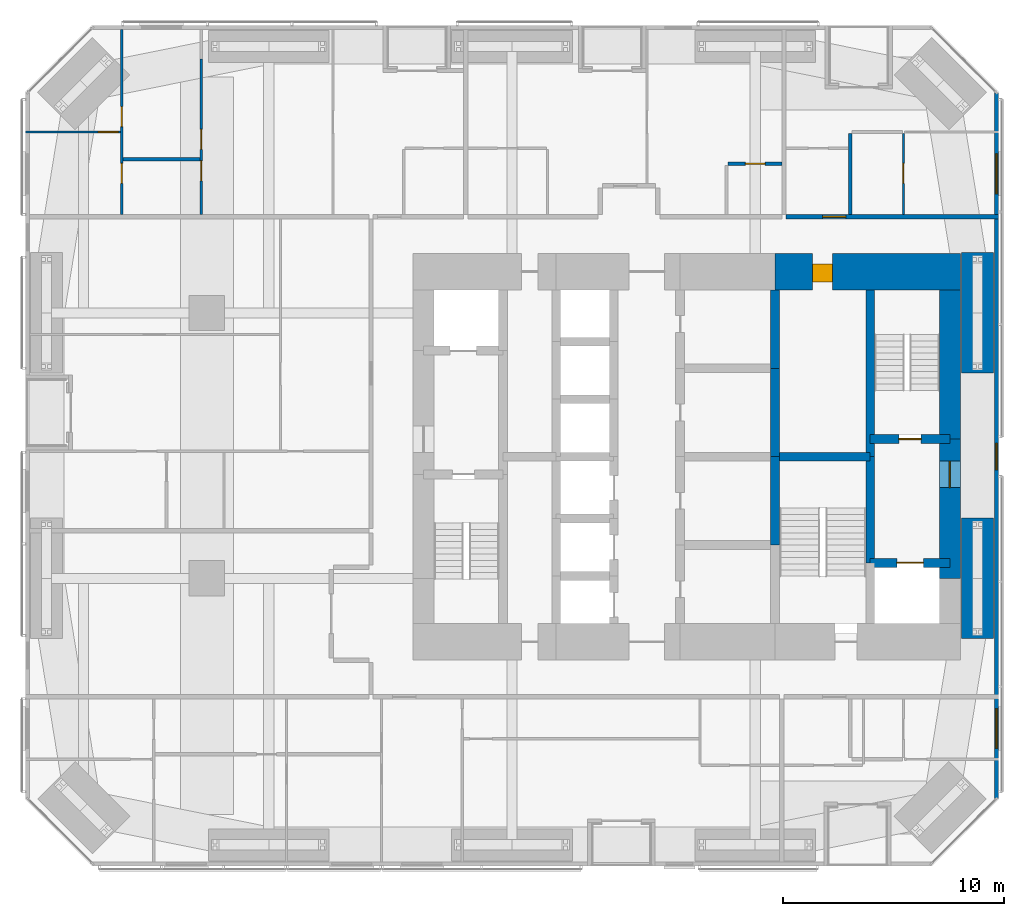
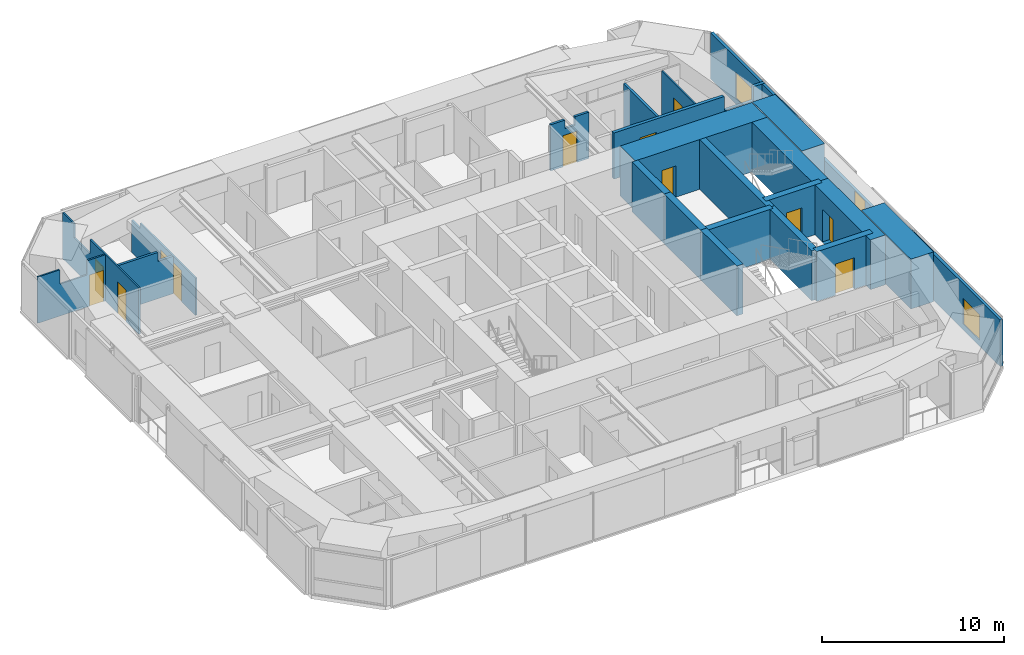
# One storey, part 21 of 24: 22 walls, 12 doors, 3 windows, 15 openings.
"""IFC4 building model written with IfcOpenShell, lengths in metres."""

from ifc_helpers import new_model, si_unit, direction, frame, frame_2d, origin, place, context, subcontext, project, spatial, polyline, rectangle, outline, extrude, material, layer, layer_set, constituent, constituent_set, type_object, element, fill, save


model = new_model("IFC4")

# Units and contexts
model_context = context("Model", 3, precision=1e-05, world=origin(), true_north=direction((0.0, 1.0)))
body_context = subcontext(model_context, "Body", "Model", "MODEL_VIEW")
ifc_project = project(units=[si_unit("LENGTHUNIT", "METRE"), si_unit("AREAUNIT", "SQUARE_METRE"), si_unit("VOLUMEUNIT", "CUBIC_METRE"), si_unit("PLANEANGLEUNIT", "RADIAN"), si_unit("MASSUNIT", "GRAM", prefix="KILO")], contexts=[model_context])

# Site, building, storey
site_placement = place(None, origin())
site = spatial("IfcSite", under=ifc_project, at=site_placement, CompositionType="ELEMENT")
building_placement = place(site_placement, origin())
building = spatial("IfcBuilding", under=site, at=building_placement, Name="Jalousie Tower", CompositionType="ELEMENT")
storey_placement = place(building_placement, frame((0.0, 0.0, 44.449951171875)))
storey = spatial("IfcBuildingStorey", under=building, at=storey_placement, Name="L11", CompositionType="ELEMENT", Elevation=44.449951171875)

# Wall
ifc_material_1 = material(Name="Concrete block ASTM C90", Category="concrete")
ifc_constituent_1 = constituent(ifc_material_1, Name="Body")
ifc_material_2 = material(Name="Render")
ifc_constituent_2 = constituent(ifc_material_2, Name="Finish")
ifc_constituent_set_1 = constituent_set(constituents=[ifc_constituent_1, ifc_constituent_2])
wall_type_1 = type_object("IfcWallType", Name="BATHROOM WALL 150", PredefinedType="PLUMBINGWALL", material=ifc_constituent_set_1)
wall_1_placement = place(storey_placement, frame((6.39990234375, 31.949951171875, 0.0), z_axis=(0.0, 0.0, 1.0), x_axis=(1.0, 0.0, 0.0)))
element("IfcWall", 1, at=wall_1_placement, inside=storey, type_object=wall_type_1, Name="Bathroom Wall 150 L11", PredefinedType="PLUMBINGWALL", context=body_context, shape_type="SweptSolid", body=[
    extrude(outline(polyline([(0.0, 0.0), (3.5, 0.0), (3.5, 3.110107421875), (3.5, 2.510009765625), (2.514892578125, 2.510009765625), (2.514892578125, 3.110107421875), (0.0, 3.110107421875), (0.0, 0.0)])), frame((0.0, 0.074951171875, 0.0), z_axis=(0.0, -1.0, 0.0), x_axis=(1.0, 0.0, 0.0)), (0.0, 0.0, 1.0), 0.14990234375),
])

# Wall, opening, door
wall_2_placement = place(storey_placement, frame((33.77490234375, 31.75, 0.0), z_axis=(0.0, 0.0, 1.0), x_axis=(1.0, 0.0, 0.0)))
wall_2 = element("IfcWall", 2, at=wall_2_placement, inside=storey, type_object=wall_type_1, Name="Bathroom Wall 150 L11", PredefinedType="PLUMBINGWALL", context=body_context, shape_type="SweptSolid", body=[
    extrude(outline(polyline([(0.0, 0.0), (2.425048828125, 0.0), (2.425048828125, 3.110107421875), (1.537353515625, 3.110107421875), (1.537353515625, 2.541015625), (0.91259765625, 2.541015625), (0.91259765625, 3.110107421875), (0.0, 3.110107421875), (0.0, 0.0)])), frame((0.0, 0.074951171875, 0.0), z_axis=(0.0, -1.0, 0.0), x_axis=(1.0, 0.0, 0.0)), (0.0, 0.0, 1.0), 0.14990234375),
])
opening_1_placement = place(wall_2_placement, frame((0.77490234375, 0.0, 0.0)))
opening_1 = element("IfcOpeningElement", 3, at=opening_1_placement, cuts=wall_2, Name="Opening D3", PredefinedType="OPENING", context=body_context, shape_type="SweptSolid", body=[
    extrude(rectangle(XDim=0.89990234375, YDim=2.10009765625, at=frame_2d((0.449951171875, 1.050048828125))), frame((0.0, 0.0849609375, 0.0), z_axis=(0.0, -1.0, 0.0), x_axis=(1.0, 0.0, 0.0)), (0.0, 0.0, 1.0), 0.169921875),
])
ifc_material_3 = material(Name="Timber door", Category="wood")
door_type_1 = type_object("IfcDoorType", Name="BATHROOM DOOR 900", OperationType="SINGLE_SWING_LEFT", PredefinedType="DOOR", material=ifc_material_3)
door_1_placement = place(opening_1_placement, frame((0.89990234375, 0.0, 0.0), z_axis=(0.0, 0.0, 1.0), x_axis=(-1.0, 0.0, 0.0)))
door_1 = element("IfcDoor", 4, at=door_1_placement, inside=storey, type_object=door_type_1, Name="Apartment 1104 bathroom door", OperationType="SINGLE_SWING_LEFT", OverallHeight=2.10009765625, OverallWidth=0.89990234375, PredefinedType="DOOR", context=body_context, shape_type="SweptSolid", body=[
    extrude(rectangle(XDim=0.89990234375, YDim=2.10009765625, at=frame_2d((0.449951171875, 1.050048828125))), frame((0.0, 0.02490234375, 0.0), z_axis=(0.0, -1.0, 0.0), x_axis=(1.0, 0.0, 0.0)), (0.0, 0.0, 1.0), 0.050048828125),
])
fill(opening_1, door_1)

# Wall
wall_3_placement = place(storey_placement, frame((39.300048828125, 33.107666015625, 0.0), z_axis=(0.0, 0.0, 1.0), x_axis=(0.0, -1.0, 0.0)))
element("IfcWall", 5, at=wall_3_placement, inside=storey, type_object=wall_type_1, Name="Bathroom Wall 150 L11", PredefinedType="PLUMBINGWALL", context=body_context, shape_type="SweptSolid", body=[
    extrude(rectangle(XDim=3.65771484375, YDim=0.14990234375, at=frame_2d((1.828857421875, 0.0))), origin(), (0.0, 0.0, 1.0), 3.110107421875),
])

# Wall, opening, door
ifc_material_4 = material(Name="Concrete f'c 120 MPa", Category="concrete")
ifc_layer_1 = layer(ifc_material_4, 1.64990234375)
ifc_layer_set_1 = layer_set([ifc_layer_1], Name="Concrete f'c 120 MPa")
wall_type_2 = type_object("IfcWallType", Name="CORE WALL 1650", PredefinedType="SHEAR", material=ifc_layer_set_1)
wall_4_placement = place(storey_placement, frame((44.27490234375, 26.875, 0.0), z_axis=(0.0, 0.0, 1.0), x_axis=(-1.0, 0.0, 0.0)))
wall_4 = element("IfcWall", 6, at=wall_4_placement, inside=storey, type_object=wall_type_2, Name="Core wall NA L11", PredefinedType="SHEAR", context=body_context, shape_type="SweptSolid", body=[
    extrude(rectangle(XDim=8.375, YDim=1.64990234375, at=frame_2d((4.1875, 0.0))), origin(), (0.0, 0.0, 1.0), 3.35009765625),
])
opening_2_placement = place(wall_4_placement, frame((5.77490234375, 0.0, 0.0)))
opening_2 = element("IfcOpeningElement", 7, at=opening_2_placement, cuts=wall_4, Name="Opening D18", PredefinedType="OPENING", context=body_context, shape_type="SweptSolid", body=[
    extrude(rectangle(XDim=0.89990234375, YDim=2.10009765625, at=frame_2d((0.449951171875, 1.050048828125))), frame((0.0, 0.8349609375, 0.0), z_axis=(0.0, -1.0, 0.0), x_axis=(1.0, 0.0, 0.0)), (0.0, 0.0, 1.0), 1.669921875),
])
ifc_material_5 = material(Name="Steel fire door", Category="steel")
door_type_2 = type_object("IfcDoorType", Name="CLEANER'S STORE DOOR 900", OperationType="SINGLE_SWING_LEFT", PredefinedType="DOOR", material=ifc_material_5)
door_2_placement = place(opening_2_placement, origin())
door_2 = element("IfcDoor", 8, at=door_2_placement, inside=storey, type_object=door_type_2, Name="Cleaner's store door", OperationType="SINGLE_SWING_RIGHT", OverallHeight=2.10009765625, OverallWidth=0.89990234375, PredefinedType="DOOR", context=body_context, shape_type="SweptSolid", body=[
    extrude(rectangle(XDim=0.89990234375, YDim=2.10009765625, at=frame_2d((0.449951171875, 1.050048828125))), frame((0.0, 0.47021484375, 0.0), z_axis=(0.0, -1.0, 0.0), x_axis=(1.0, 0.0, 0.0)), (0.0, 0.0, 1.0), 0.800048828125),
])
fill(opening_2, door_2)

# Walls
ifc_material_6 = material(Name="Concrete f'c 120 MPa", Category="concrete")
ifc_layer_2 = layer(ifc_material_6, 0.39990234375)
ifc_layer_set_2 = layer_set([ifc_layer_2], Name="Concrete f'c 120 MPa")
wall_type_3 = type_object("IfcWallType", Name="CORE WALL 400", PredefinedType="SHEAR", material=ifc_layer_set_2)
for number, where, z_axis, x_axis, name in (
    (9, (35.89990234375, 14.5, 0.0), (0.0, 0.0, 1.0), (0.0, 1.0, 0.0), "Core wall X35.9B L11"),
    (10, (35.89990234375, 18.5, 0.0), (0.0, 0.0, 1.0), (0.0, 1.0, 0.0), "Core wall X35.9C L11"),
):
    element("IfcWall", number, at=place(storey_placement, frame(where, z_axis=z_axis, x_axis=x_axis)), inside=storey, type_object=wall_type_3, Name=name, PredefinedType="SHEAR", context=body_context, shape_type="SweptSolid", body=[
        extrude(rectangle(XDim=4.0, YDim=0.39990234375, at=frame_2d((2.0, 0.0))), origin(), (0.0, 0.0, 1.0), 3.35009765625),
    ])
wall_5_placement = place(storey_placement, frame((35.89990234375, 22.5, 0.0), z_axis=(0.0, 0.0, 1.0), x_axis=(0.0, 1.0, 0.0)))
element("IfcWall", 11, at=wall_5_placement, inside=storey, type_object=wall_type_3, Name="Core wall X35.9D L11", PredefinedType="SHEAR", context=body_context, shape_type="SweptSolid", body=[
    extrude(rectangle(XDim=3.550048828125, YDim=0.39990234375, at=frame_2d((1.77490234375, 0.0))), origin(), (0.0, 0.0, 1.0), 3.35009765625),
])
wall_6_placement = place(storey_placement, frame((40.199951171875, 13.699951171875, 0.0), z_axis=(0.0, 0.0, 1.0), x_axis=(0.0, 1.0, 0.0)))
element("IfcWall", 12, at=wall_6_placement, inside=storey, type_object=wall_type_3, Name="Core wall X40.2B L11", PredefinedType="SHEAR", context=body_context, shape_type="SweptSolid", body=[
    extrude(rectangle(XDim=4.800048828125, YDim=0.39990234375, at=frame_2d((2.39990234375, 0.0))), origin(), (0.0, 0.0, 1.0), 3.35009765625),
])
wall_7_placement = place(storey_placement, frame((40.199951171875, 18.5, 0.0), z_axis=(0.0, 0.0, 1.0), x_axis=(0.0, 1.0, 0.0)))
element("IfcWall", 13, at=wall_7_placement, inside=storey, type_object=wall_type_3, Name="Core wall X40.2C L11", PredefinedType="SHEAR", context=body_context, shape_type="SweptSolid", body=[
    extrude(rectangle(XDim=7.550048828125, YDim=0.39990234375, at=frame_2d((3.77490234375, 0.0))), origin(), (0.0, 0.0, 1.0), 3.35009765625),
])
wall_8_placement = place(storey_placement, frame((35.89990234375, 18.5, 0.0), z_axis=(0.0, 0.0, 1.0), x_axis=(1.0, 0.0, 0.0)))
element("IfcWall", 14, at=wall_8_placement, inside=storey, type_object=wall_type_3, Name="Core wall Y35.9-18.5 L11", PredefinedType="SHEAR", context=body_context, shape_type="SweptSolid", body=[
    extrude(rectangle(XDim=4.300048828125, YDim=0.39990234375, at=frame_2d((2.14990234375, 0.0))), origin(), (0.0, 0.0, 1.0), 3.35009765625),
])

# Wall, opening, door
wall_9_placement = place(storey_placement, frame((40.199951171875, 13.699951171875, 0.0), z_axis=(0.0, 0.0, 1.0), x_axis=(1.0, 0.0, 0.0)))
wall_9 = element("IfcWall", 15, at=wall_9_placement, inside=storey, type_object=wall_type_3, Name="Core wall Y40.2-13.7 L11", PredefinedType="SHEAR", context=body_context, shape_type="SweptSolid", body=[
    extrude(rectangle(XDim=3.60009765625, YDim=0.39990234375, at=frame_2d((1.800048828125, 0.0))), origin(), (0.0, 0.0, 1.0), 3.35009765625),
])
opening_3_placement = place(wall_9_placement, frame((1.199951171875, 0.0, 0.0)))
opening_3 = element("IfcOpeningElement", 16, at=opening_3_placement, cuts=wall_9, Name="Opening LD2", PredefinedType="OPENING", context=body_context, shape_type="SweptSolid", body=[
    extrude(rectangle(XDim=1.199951171875, YDim=2.10009765625, at=frame_2d((0.60009765625, 1.050048828125))), frame((0.0, 0.2099609375, 0.0), z_axis=(0.0, -1.0, 0.0), x_axis=(1.0, 0.0, 0.0)), (0.0, 0.0, 1.0), 0.419921875),
])
ifc_material_7 = material(Name="Steel lift landing door", Category="steel")
door_type_3 = type_object("IfcDoorType", Name="LIFT LANDING DOOR 1200", OperationType="SLIDING_TO_LEFT", PredefinedType="DOOR", material=ifc_material_7)
door_3_placement = place(opening_3_placement, origin())
door_3 = element("IfcDoor", 17, at=door_3_placement, inside=storey, type_object=door_type_3, Name="Lift F2 landing door", OperationType="SLIDING_TO_LEFT", OverallHeight=2.10009765625, OverallWidth=1.199951171875, PredefinedType="DOOR", context=body_context, shape_type="SweptSolid", body=[
    extrude(rectangle(XDim=1.199951171875, YDim=2.10009765625, at=frame_2d((0.60009765625, 1.050048828125))), frame((0.0, 0.02490234375, 0.0), z_axis=(0.0, -1.0, 0.0), x_axis=(1.0, 0.0, 0.0)), (0.0, 0.0, 1.0), 0.050048828125),
])
fill(opening_3, door_3)

wall_10_placement = place(storey_placement, frame((40.199951171875, 19.300048828125, 0.0), z_axis=(0.0, 0.0, 1.0), x_axis=(1.0, 0.0, 0.0)))
wall_10 = element("IfcWall", 18, at=wall_10_placement, inside=storey, type_object=wall_type_3, Name="Core wall Y40.2-19.3 L11", PredefinedType="SHEAR", context=body_context, shape_type="SweptSolid", body=[
    extrude(rectangle(XDim=3.60009765625, YDim=0.39990234375, at=frame_2d((1.800048828125, 0.0))), origin(), (0.0, 0.0, 1.0), 3.35009765625),
])
opening_4_placement = place(wall_10_placement, frame((1.300048828125, 0.0, 0.0)))
opening_4 = element("IfcOpeningElement", 19, at=opening_4_placement, cuts=wall_10, Name="Opening D10", PredefinedType="OPENING", context=body_context, shape_type="SweptSolid", body=[
    extrude(rectangle(XDim=1.0, YDim=2.10009765625, at=frame_2d((0.5, 1.050048828125))), frame((0.0, 0.2099609375, 0.0), z_axis=(0.0, -1.0, 0.0), x_axis=(1.0, 0.0, 0.0)), (0.0, 0.0, 1.0), 0.419921875),
])
ifc_material_8 = material(Name="Steel fire door", Category="steel")
door_type_4 = type_object("IfcDoorType", Name="STAIR DOOR 1000", OperationType="SINGLE_SWING_LEFT", PredefinedType="DOOR", material=ifc_material_8)
door_4_placement = place(opening_4_placement, origin())
door_4 = element("IfcDoor", 20, at=door_4_placement, inside=storey, type_object=door_type_4, Name="Exit stair B door", OperationType="SINGLE_SWING_RIGHT", OverallHeight=2.10009765625, OverallWidth=1.0, PredefinedType="DOOR", context=body_context, shape_type="SweptSolid", body=[
    extrude(rectangle(XDim=1.0, YDim=2.10009765625, at=frame_2d((0.5, 1.050048828125))), frame((0.0, 0.02490234375, 0.0), z_axis=(0.0, -1.0, 0.0), x_axis=(1.0, 0.0, 0.0)), (0.0, 0.0, 1.0), 0.050048828125),
])
fill(opening_4, door_4)

ifc_material_9 = material(Name="Concrete f'c 120 MPa", Category="concrete")
ifc_layer_3 = layer(ifc_material_9, 0.949951171875)
ifc_layer_set_3 = layer_set([ifc_layer_3], Name="Concrete f'c 120 MPa")
wall_type_4 = type_object("IfcWallType", Name="CORE WALL 950", PredefinedType="SHEAR", material=ifc_layer_set_3)
wall_11_placement = place(storey_placement, frame((43.800048828125, 13.0, 0.0), z_axis=(0.0, 0.0, 1.0), x_axis=(0.0, 1.0, 0.0)))
wall_11 = element("IfcWall", 21, at=wall_11_placement, inside=storey, type_object=wall_type_4, Name="Core wall EB L11", PredefinedType="SHEAR", context=body_context, shape_type="SweptSolid", body=[
    extrude(rectangle(XDim=6.300048828125, YDim=0.949951171875, at=frame_2d((3.14990234375, 0.0))), origin(), (0.0, 0.0, 1.0), 3.35009765625),
])
opening_5_placement = place(wall_11_placement, frame((4.10009765625, 0.0, 0.0)))
opening_5 = element("IfcOpeningElement", 22, at=opening_5_placement, cuts=wall_11, Name="Opening D11", PredefinedType="OPENING", context=body_context, shape_type="SweptSolid", body=[
    extrude(rectangle(XDim=1.199951171875, YDim=2.199951171875, at=frame_2d((0.60009765625, 1.10009765625))), frame((0.0, 0.48486328125, 0.0), z_axis=(0.0, -1.0, 0.0), x_axis=(1.0, 0.0, 0.0)), (0.0, 0.0, 1.0), 0.969970703125),
])
ifc_material_10 = material(Name="Steel fire door", Category="steel")
door_type_5 = type_object("IfcDoorType", Name="FIRE DOOR 1200", OperationType="SINGLE_SWING_LEFT", PredefinedType="DOOR", material=ifc_material_10)
door_5_placement = place(opening_5_placement, origin())
door_5 = element("IfcDoor", 23, at=door_5_placement, inside=storey, type_object=door_type_5, Name="Fire-fighting lobby B door", OperationType="SINGLE_SWING_RIGHT", OverallHeight=2.199951171875, OverallWidth=1.199951171875, PredefinedType="DOOR", context=body_context, shape_type="SweptSolid", body=[
    extrude(rectangle(XDim=1.199951171875, YDim=2.199951171875, at=frame_2d((0.60009765625, 1.10009765625))), frame((0.0, 0.02490234375, 0.0), z_axis=(0.0, -1.0, 0.0), x_axis=(1.0, 0.0, 0.0)), (0.0, 0.0, 1.0), 0.050048828125),
])
fill(opening_5, door_5)

# Wall
wall_12_placement = place(storey_placement, frame((43.800048828125, 19.300048828125, 0.0), z_axis=(0.0, 0.0, 1.0), x_axis=(0.0, 1.0, 0.0)))
element("IfcWall", 24, at=wall_12_placement, inside=storey, type_object=wall_type_4, Name="Core wall EC L11", PredefinedType="SHEAR", context=body_context, shape_type="SweptSolid", body=[
    extrude(rectangle(XDim=6.75, YDim=0.949951171875, at=frame_2d((3.375, 0.0))), origin(), (0.0, 0.0, 1.0), 3.35009765625),
])

# Wall, opening, door
ifc_material_11 = material(Name="Concrete block ASTM C90", Category="concrete")
ifc_constituent_3 = constituent(ifc_material_11, Name="Body")
ifc_material_12 = material(Name="Render")
ifc_constituent_4 = constituent(ifc_material_12, Name="Finish")
ifc_constituent_set_2 = constituent_set(constituents=[ifc_constituent_3, ifc_constituent_4])
wall_type_5 = type_object("IfcWallType", Name="CORRIDOR WALL 200", PredefinedType="PARTITIONING", material=ifc_constituent_set_2)
wall_13_placement = place(storey_placement, frame((36.39990234375, 29.35009765625, 0.0), z_axis=(0.0, 0.0, 1.0), x_axis=(1.0, 0.0, 0.0)))
wall_13 = element("IfcWall", 25, at=wall_13_placement, inside=storey, type_object=wall_type_5, Name="Corridor Wall 200 L11", PredefinedType="PARTITIONING", context=body_context, shape_type="SweptSolid", body=[
    extrude(outline(polyline([(0.0, 0.0), (9.60009765625, 0.0), (9.60009765625, 3.110107421875), (8.866455078125, 3.110107421875), (8.866455078125, 2.150146484375), (7.022705078125, 2.150146484375), (7.022705078125, 3.110107421875), (0.0, 3.110107421875), (0.0, 0.0)])), frame((0.0, 0.10009765625, 0.0), z_axis=(0.0, -1.0, 0.0), x_axis=(1.0, 0.0, 0.0)), (0.0, 0.0, 1.0), 0.199951171875),
])
opening_6_placement = place(wall_13_placement, frame((1.64990234375, 0.0, 0.0)))
opening_6 = element("IfcOpeningElement", 26, at=opening_6_placement, cuts=wall_13, Name="Opening D1", PredefinedType="OPENING", context=body_context, shape_type="SweptSolid", body=[
    extrude(rectangle(XDim=1.050048828125, YDim=2.199951171875, at=frame_2d((0.52490234375, 1.10009765625))), frame((0.0, 0.10986328125, 0.0), z_axis=(0.0, -1.0, 0.0), x_axis=(1.0, 0.0, 0.0)), (0.0, 0.0, 1.0), 0.219970703125),
])
ifc_material_13 = material(Name="Timber fire door", Category="wood")
door_type_6 = type_object("IfcDoorType", Name="APARTMENT ENTRANCE DOOR 1050", OperationType="SINGLE_SWING_LEFT", PredefinedType="DOOR", material=ifc_material_13)
door_6_placement = place(opening_6_placement, origin())
door_6 = element("IfcDoor", 27, at=door_6_placement, inside=storey, type_object=door_type_6, Name="Apartment 1105 entrance", OperationType="SINGLE_SWING_RIGHT", OverallHeight=2.199951171875, OverallWidth=1.050048828125, PredefinedType="DOOR", context=body_context, shape_type="SweptSolid", body=[
    extrude(rectangle(XDim=1.050048828125, YDim=2.199951171875, at=frame_2d((0.52490234375, 1.10009765625))), frame((0.0, 0.02490234375, 0.0), z_axis=(0.0, -1.0, 0.0), x_axis=(1.0, 0.0, 0.0)), (0.0, 0.0, 1.0), 0.050048828125),
])
fill(opening_6, door_6)

# Wall, openings, windows
ifc_material_14 = material(Name="Concrete f'c 40 MPa", Category="concrete")
ifc_constituent_5 = constituent(ifc_material_14, Name="Body")
ifc_material_15 = material(Name="Render, pastel coral")
ifc_constituent_6 = constituent(ifc_material_15, Name="Finish")
ifc_constituent_set_3 = constituent_set(constituents=[ifc_constituent_5, ifc_constituent_6])
wall_type_6 = type_object("IfcWallType", Name="EXTERNAL WALL 175 CORAL RENDER", PredefinedType="SOLIDWALL", material=ifc_constituent_set_3)
wall_14_placement = place(storey_placement, frame((45.91259765625, 3.05126953125, 0.0), z_axis=(0.0, 0.0, 1.0), x_axis=(0.0, 1.0, 0.0)))
wall_14 = element("IfcWall", 28, at=wall_14_placement, inside=storey, type_object=wall_type_6, Name="External Wall 175 Coral Render L11", PredefinedType="SOLIDWALL", context=body_context, shape_type="SweptSolid", body=[
    extrude(outline(polyline([(0.0, 0.0), (31.8974609375, 0.0), (31.8974609375, 3.110107421875), (22.167236328125, 3.110107421875), (22.167236328125, 2.150146484375), (22.074462890625, 2.150146484375), (22.074462890625, 3.110107421875), (21.94873046875, 3.110107421875), (21.94873046875, 2.150146484375), (9.94873046875, 2.150146484375), (9.94873046875, 3.110107421875), (9.822998046875, 3.110107421875), (9.822998046875, 2.150146484375), (9.72998046875, 2.150146484375), (9.72998046875, 3.110107421875), (0.0, 3.110107421875), (0.0, 0.0)])), frame((0.0, 0.08740234375, 0.0), z_axis=(0.0, -1.0, 0.0), x_axis=(1.0, 0.0, 0.0)), (0.0, 0.0, 1.0), 0.175048828125),
])
opening_7_placement = place(wall_14_placement, frame((2.25732421875, 0.0, 0.39990234375)))
opening_7 = element("IfcOpeningElement", 29, at=opening_7_placement, cuts=wall_14, Name="Opening W-BED170", PredefinedType="OPENING", context=body_context, shape_type="SweptSolid", body=[
    extrude(rectangle(XDim=1.800048828125, YDim=1.699951171875, at=frame_2d((0.89990234375, 0.85009765625))), frame((0.0, 0.097412109375, 0.0), z_axis=(0.0, -1.0, 0.0), x_axis=(1.0, 0.0, 0.0)), (0.0, 0.0, 1.0), 0.195068359375),
])
opening_8_placement = place(wall_14_placement, frame((14.8486328125, 0.0, 0.39990234375)))
opening_8 = element("IfcOpeningElement", 30, at=opening_8_placement, cuts=wall_14, Name="Opening W-COR170", PredefinedType="OPENING", context=body_context, shape_type="SweptSolid", body=[
    extrude(rectangle(XDim=1.199951171875, YDim=1.699951171875, at=frame_2d((0.60009765625, 0.85009765625))), frame((0.0, 0.097412109375, 0.0), z_axis=(0.0, -1.0, 0.0), x_axis=(1.0, 0.0, 0.0)), (0.0, 0.0, 1.0), 0.195068359375),
])
opening_9_placement = place(wall_14_placement, frame((27.340087890625, 0.0, 0.39990234375)))
opening_9 = element("IfcOpeningElement", 31, at=opening_9_placement, cuts=wall_14, Name="Opening W-BED170", PredefinedType="OPENING", context=body_context, shape_type="SweptSolid", body=[
    extrude(rectangle(XDim=1.800048828125, YDim=1.699951171875, at=frame_2d((0.89990234375, 0.85009765625))), frame((0.0, 0.097412109375, 0.0), z_axis=(0.0, -1.0, 0.0), x_axis=(1.0, 0.0, 0.0)), (0.0, 0.0, 1.0), 0.195068359375),
])
ifc_material_16 = material(Name="Aluminium frame, impact-rated glazing", Category="aluminium")
window_type_1 = type_object("IfcWindowType", Name="WINDOW BED 1800x1700", PartitioningType="SINGLE_PANEL", PredefinedType="WINDOW", material=ifc_material_16)
window_1_placement = place(opening_7_placement, origin())
window_1 = element("IfcWindow", 32, at=window_1_placement, inside=storey, type_object=window_type_1, Name="Apartment 1102 bedroom 1 window", OverallHeight=1.699951171875, OverallWidth=1.800048828125, PartitioningType="SINGLE_PANEL", PredefinedType="WINDOW", context=body_context, shape_type="SweptSolid", body=[
    extrude(rectangle(XDim=1.800048828125, YDim=1.699951171875, at=frame_2d((0.89990234375, 0.85009765625))), frame((0.0, 0.030029296875, 0.0), z_axis=(0.0, -1.0, 0.0), x_axis=(1.0, 0.0, 0.0)), (0.0, 0.0, 1.0), 0.06005859375),
])
fill(opening_7, window_1)
window_2_placement = place(opening_9_placement, origin())
window_2 = element("IfcWindow", 33, at=window_2_placement, inside=storey, type_object=window_type_1, Name="Apartment 1105 bedroom 1 window", OverallHeight=1.699951171875, OverallWidth=1.800048828125, PartitioningType="SINGLE_PANEL", PredefinedType="WINDOW", context=body_context, shape_type="SweptSolid", body=[
    extrude(rectangle(XDim=1.800048828125, YDim=1.699951171875, at=frame_2d((0.89990234375, 0.85009765625))), frame((0.0, 0.030029296875, 0.0), z_axis=(0.0, -1.0, 0.0), x_axis=(1.0, 0.0, 0.0)), (0.0, 0.0, 1.0), 0.06005859375),
])
fill(opening_9, window_2)
ifc_material_17 = material(Name="Aluminium frame, impact-rated glazing", Category="aluminium")
window_type_2 = type_object("IfcWindowType", Name="WINDOW COR 1200x1700", PartitioningType="SINGLE_PANEL", PredefinedType="WINDOW", material=ifc_material_17)
window_3_placement = place(opening_8_placement, origin())
window_3 = element("IfcWindow", 34, at=window_3_placement, inside=storey, type_object=window_type_2, Name="Corridor window", OverallHeight=1.699951171875, OverallWidth=1.199951171875, PartitioningType="SINGLE_PANEL", PredefinedType="WINDOW", context=body_context, shape_type="SweptSolid", body=[
    extrude(rectangle(XDim=1.199951171875, YDim=1.699951171875, at=frame_2d((0.60009765625, 0.85009765625))), frame((0.0, 0.030029296875, 0.0), z_axis=(0.0, -1.0, 0.0), x_axis=(1.0, 0.0, 0.0)), (0.0, 0.0, 1.0), 0.06005859375),
])
fill(opening_8, window_3)

# Wall, openings, doors
ifc_material_18 = material(Name="Gypsum board", Category="gypsum")
ifc_constituent_7 = constituent(ifc_material_18, Name="Body")
ifc_material_19 = material(Name="Light-gauge steel studs ASTM A653 SS Grade 33", Category="steel")
ifc_constituent_8 = constituent(ifc_material_19, Name="Framing")
ifc_constituent_set_4 = constituent_set(constituents=[ifc_constituent_7, ifc_constituent_8])
wall_type_7 = type_object("IfcWallType", Name="PARTITION 100", PredefinedType="PARTITIONING", material=ifc_constituent_set_4)
wall_15_placement = place(storey_placement, frame((6.35009765625, 37.824951171875, 0.0), z_axis=(0.0, 0.0, 1.0), x_axis=(0.0, -1.0, 0.0)))
wall_15 = element("IfcWall", 35, at=wall_15_placement, inside=storey, type_object=wall_type_7, Name="Partition 100 L11", PredefinedType="PARTITIONING", context=body_context, shape_type="SweptSolid", body=[
    extrude(outline(polyline([(0.0, 0.0), (8.375, 0.0), (8.375, 3.110107421875), (2.98828125, 3.110107421875), (2.98828125, 2.150146484375), (1.23388671875, 2.150146484375), (1.23388671875, 3.110107421875), (0.0, 3.110107421875), (0.0, 0.0)])), frame((0.0, 0.050048828125, 0.0), z_axis=(0.0, -1.0, 0.0), x_axis=(1.0, 0.0, 0.0)), (0.0, 0.0, 1.0), 0.10009765625),
])
opening_10_placement = place(wall_15_placement, frame((3.492431640625, 0.0, 0.0)))
opening_10 = element("IfcOpeningElement", 36, at=opening_10_placement, cuts=wall_15, Name="Opening D2", PredefinedType="OPENING", context=body_context, shape_type="SweptSolid", body=[
    extrude(rectangle(XDim=0.89990234375, YDim=2.10009765625, at=frame_2d((0.449951171875, 1.050048828125))), frame((0.0, 0.06005859375, 0.0), z_axis=(0.0, -1.0, 0.0), x_axis=(1.0, 0.0, 0.0)), (0.0, 0.0, 1.0), 0.1201171875),
])
opening_11_placement = place(wall_15_placement, frame((6.05859375, 0.0, 0.0)))
opening_11 = element("IfcOpeningElement", 37, at=opening_11_placement, cuts=wall_15, Name="Opening D3", PredefinedType="OPENING", context=body_context, shape_type="SweptSolid", body=[
    extrude(rectangle(XDim=0.89990234375, YDim=2.10009765625, at=frame_2d((0.449951171875, 1.050048828125))), frame((0.0, 0.06005859375, 0.0), z_axis=(0.0, -1.0, 0.0), x_axis=(1.0, 0.0, 0.0)), (0.0, 0.0, 1.0), 0.1201171875),
])
door_7_placement = place(opening_11_placement, origin())
door_7 = element("IfcDoor", 38, at=door_7_placement, inside=storey, type_object=door_type_1, Name="Apartment 1103 bedroom 1 bathroom door", OperationType="SINGLE_SWING_LEFT", OverallHeight=2.10009765625, OverallWidth=0.89990234375, PredefinedType="DOOR", context=body_context, shape_type="SweptSolid", body=[
    extrude(rectangle(XDim=0.89990234375, YDim=2.10009765625, at=frame_2d((0.449951171875, 1.050048828125))), frame((0.0, 0.02490234375, 0.0), z_axis=(0.0, -1.0, 0.0), x_axis=(1.0, 0.0, 0.0)), (0.0, 0.0, 1.0), 0.050048828125),
])
fill(opening_11, door_7)
ifc_material_20 = material(Name="Timber door", Category="wood")
door_type_7 = type_object("IfcDoorType", Name="BEDROOM DOOR 900", OperationType="SINGLE_SWING_LEFT", PredefinedType="DOOR", material=ifc_material_20)
door_8_placement = place(opening_10_placement, origin())
door_8 = element("IfcDoor", 39, at=door_8_placement, inside=storey, type_object=door_type_7, Name="Apartment 1103 bedroom 1 door", OperationType="SINGLE_SWING_RIGHT", OverallHeight=2.10009765625, OverallWidth=0.89990234375, PredefinedType="DOOR", context=body_context, shape_type="SweptSolid", body=[
    extrude(rectangle(XDim=0.89990234375, YDim=2.10009765625, at=frame_2d((0.449951171875, 1.050048828125))), frame((0.0, 0.02490234375, 0.0), z_axis=(0.0, -1.0, 0.0), x_axis=(1.0, 0.0, 0.0)), (0.0, 0.0, 1.0), 0.050048828125),
])
fill(opening_10, door_8)

wall_16_placement = place(storey_placement, frame((9.949951171875, 36.4873046875, 0.0), z_axis=(0.0, 0.0, 1.0), x_axis=(0.0, -1.0, 0.0)))
wall_16 = element("IfcWall", 40, at=wall_16_placement, inside=storey, type_object=wall_type_7, Name="Partition 100 L11-B", PredefinedType="PARTITIONING", context=body_context, shape_type="SweptSolid", body=[
    extrude(outline(polyline([(0.0, 0.0), (7.037353515625, 0.0), (7.037353515625, 2.510009765625), (0.927490234375, 2.510009765625), (0.927490234375, 2.150146484375), (0.0, 2.150146484375), (0.0, 0.0)])), frame((0.0, 0.050048828125, 0.0), z_axis=(0.0, -1.0, 0.0), x_axis=(1.0, 0.0, 0.0)), (0.0, 0.0, 1.0), 0.10009765625),
])
opening_12_placement = place(wall_16_placement, frame((3.1875, 0.0, 0.0)))
opening_12 = element("IfcOpeningElement", 41, at=opening_12_placement, cuts=wall_16, Name="Opening D2", PredefinedType="OPENING", context=body_context, shape_type="SweptSolid", body=[
    extrude(rectangle(XDim=0.89990234375, YDim=2.10009765625, at=frame_2d((0.449951171875, 1.050048828125))), frame((0.0, 0.06005859375, 0.0), z_axis=(0.0, -1.0, 0.0), x_axis=(1.0, 0.0, 0.0)), (0.0, 0.0, 1.0), 0.1201171875),
])
opening_13_placement = place(wall_16_placement, frame((4.6123046875, 0.0, 0.0)))
opening_13 = element("IfcOpeningElement", 42, at=opening_13_placement, cuts=wall_16, Name="Opening D7", PredefinedType="OPENING", context=body_context, shape_type="SweptSolid", body=[
    extrude(rectangle(XDim=0.89990234375, YDim=2.10009765625, at=frame_2d((0.449951171875, 1.050048828125))), frame((0.0, 0.06005859375, 0.0), z_axis=(0.0, -1.0, 0.0), x_axis=(1.0, 0.0, 0.0)), (0.0, 0.0, 1.0), 0.1201171875),
])
door_9_placement = place(opening_12_placement, frame((0.89990234375, 0.0, 0.0), z_axis=(0.0, 0.0, 1.0), x_axis=(-1.0, 0.0, 0.0)))
door_9 = element("IfcDoor", 43, at=door_9_placement, inside=storey, type_object=door_type_7, Name="Apartment 1103 bedroom 2 door", OperationType="SINGLE_SWING_LEFT", OverallHeight=2.10009765625, OverallWidth=0.89990234375, PredefinedType="DOOR", context=body_context, shape_type="SweptSolid", body=[
    extrude(rectangle(XDim=0.89990234375, YDim=2.10009765625, at=frame_2d((0.449951171875, 1.050048828125))), frame((0.0, 0.02490234375, 0.0), z_axis=(0.0, -1.0, 0.0), x_axis=(1.0, 0.0, 0.0)), (0.0, 0.0, 1.0), 0.050048828125),
])
fill(opening_12, door_9)
ifc_material_21 = material(Name="Timber door", Category="wood")
door_type_8 = type_object("IfcDoorType", Name="INTERNAL DOOR 900", OperationType="SINGLE_SWING_LEFT", PredefinedType="DOOR", material=ifc_material_21)
door_10_placement = place(opening_13_placement, frame((0.89990234375, 0.0, 0.0), z_axis=(0.0, 0.0, 1.0), x_axis=(-1.0, 0.0, 0.0)))
door_10 = element("IfcDoor", 44, at=door_10_placement, inside=storey, type_object=door_type_8, Name="Apartment 1103 bathroom door", OperationType="SINGLE_SWING_RIGHT", OverallHeight=2.10009765625, OverallWidth=0.89990234375, PredefinedType="DOOR", context=body_context, shape_type="SweptSolid", body=[
    extrude(rectangle(XDim=0.89990234375, YDim=2.10009765625, at=frame_2d((0.449951171875, 1.050048828125))), frame((0.0, 0.02490234375, 0.0), z_axis=(0.0, -1.0, 0.0), x_axis=(1.0, 0.0, 0.0)), (0.0, 0.0, 1.0), 0.050048828125),
])
fill(opening_13, door_10)

# Wall, opening, door
wall_17_placement = place(storey_placement, frame((2.0, 33.1826171875, 0.0), z_axis=(0.0, 0.0, 1.0), x_axis=(1.0, 0.0, 0.0)))
wall_17 = element("IfcWall", 45, at=wall_17_placement, inside=storey, type_object=wall_type_7, Name="Partition 100 L11", PredefinedType="PARTITIONING", context=body_context, shape_type="SweptSolid", body=[
    extrude(outline(polyline([(0.0, 0.0), (4.300048828125, 0.0), (4.300048828125, 3.110107421875), (3.148193359375, 3.110107421875), (3.148193359375, 2.150146484375), (1.40576171875, 2.150146484375), (1.40576171875, 3.110107421875), (0.0, 3.110107421875), (0.0, 0.0)])), frame((0.0, 0.050048828125, 0.0), z_axis=(0.0, -1.0, 0.0), x_axis=(1.0, 0.0, 0.0)), (0.0, 0.0, 1.0), 0.10009765625),
])
opening_14_placement = place(wall_17_placement, frame((3.300048828125, 0.0, 0.0)))
opening_14 = element("IfcOpeningElement", 46, at=opening_14_placement, cuts=wall_17, Name="Opening D7", PredefinedType="OPENING", context=body_context, shape_type="SweptSolid", body=[
    extrude(rectangle(XDim=0.89990234375, YDim=2.10009765625, at=frame_2d((0.449951171875, 1.050048828125))), frame((0.0, 0.06005859375, 0.0), z_axis=(0.0, -1.0, 0.0), x_axis=(1.0, 0.0, 0.0)), (0.0, 0.0, 1.0), 0.1201171875),
])
door_11_placement = place(opening_14_placement, frame((0.89990234375, 0.0, 0.0), z_axis=(0.0, 0.0, 1.0), x_axis=(-1.0, 0.0, 0.0)))
door_11 = element("IfcDoor", 47, at=door_11_placement, inside=storey, type_object=door_type_8, Name="Apartment 1103 bedroom 1 dressing hall door", OperationType="SINGLE_SWING_LEFT", OverallHeight=2.10009765625, OverallWidth=0.89990234375, PredefinedType="DOOR", context=body_context, shape_type="SweptSolid", body=[
    extrude(rectangle(XDim=0.89990234375, YDim=2.10009765625, at=frame_2d((0.449951171875, 1.050048828125))), frame((0.0, 0.02490234375, 0.0), z_axis=(0.0, -1.0, 0.0), x_axis=(1.0, 0.0, 0.0)), (0.0, 0.0, 1.0), 0.050048828125),
])
fill(opening_14, door_11)

wall_18_placement = place(storey_placement, frame((41.699951171875, 33.107666015625, 0.0), z_axis=(0.0, 0.0, 1.0), x_axis=(0.0, -1.0, 0.0)))
wall_18 = element("IfcWall", 48, at=wall_18_placement, inside=storey, type_object=wall_type_7, Name="Partition 100 L11", PredefinedType="PARTITIONING", context=body_context, shape_type="SweptSolid", body=[
    extrude(rectangle(XDim=3.65771484375, YDim=0.10009765625, at=frame_2d((1.828857421875, 0.0))), origin(), (0.0, 0.0, 1.0), 3.110107421875),
])
opening_15_placement = place(wall_18_placement, frame((1.34130859375, 0.0, 0.0)))
opening_15 = element("IfcOpeningElement", 49, at=opening_15_placement, cuts=wall_18, Name="Opening D3", PredefinedType="OPENING", context=body_context, shape_type="SweptSolid", body=[
    extrude(rectangle(XDim=0.89990234375, YDim=2.10009765625, at=frame_2d((0.449951171875, 1.050048828125))), frame((0.0, 0.06005859375, 0.0), z_axis=(0.0, -1.0, 0.0), x_axis=(1.0, 0.0, 0.0)), (0.0, 0.0, 1.0), 0.1201171875),
])
door_12_placement = place(opening_15_placement, frame((0.89990234375, 0.0, 0.0), z_axis=(0.0, 0.0, 1.0), x_axis=(-1.0, 0.0, 0.0)))
door_12 = element("IfcDoor", 50, at=door_12_placement, inside=storey, type_object=door_type_1, Name="Apartment 1105 bedroom 1 bathroom door", OperationType="SINGLE_SWING_RIGHT", OverallHeight=2.10009765625, OverallWidth=0.89990234375, PredefinedType="DOOR", context=body_context, shape_type="SweptSolid", body=[
    extrude(rectangle(XDim=0.89990234375, YDim=2.10009765625, at=frame_2d((0.449951171875, 1.050048828125))), frame((0.0, 0.02490234375, 0.0), z_axis=(0.0, -1.0, 0.0), x_axis=(1.0, 0.0, 0.0)), (0.0, 0.0, 1.0), 0.050048828125),
])
fill(opening_15, door_12)

# Walls
ifc_material_22 = material(Name="Concrete f'c 120 MPa", Category="concrete")
ifc_layer_4 = layer(ifc_material_22, 1.449951171875)
ifc_layer_set_4 = layer_set([ifc_layer_4], Name="Concrete f'c 120 MPa")
wall_type_8 = type_object("IfcWallType", Name="RC WALL PIER 1450", PredefinedType="SHEAR", material=ifc_layer_set_4)
for number, where, z_axis, x_axis, name in (
    (51, (45.050048828125, 10.27490234375, 0.0), (0.0, 0.0, 1.0), (0.0, 1.0, 0.0), "Wall pier 06 L11"),
    (52, (45.050048828125, 22.27490234375, 0.0), (0.0, 0.0, 1.0), (0.0, 1.0, 0.0), "Wall pier 07 L11"),
):
    element("IfcWall", number, at=place(storey_placement, frame(where, z_axis=z_axis, x_axis=x_axis)), inside=storey, type_object=wall_type_8, Name=name, PredefinedType="SHEAR", context=body_context, shape_type="SweptSolid", body=[
        extrude(rectangle(XDim=5.4501953125, YDim=1.449951171875, at=frame_2d((2.72509765625, 0.0))), origin(), (0.0, 0.0, 1.0), 3.35009765625),
    ])

save(model, "model.ifc")
